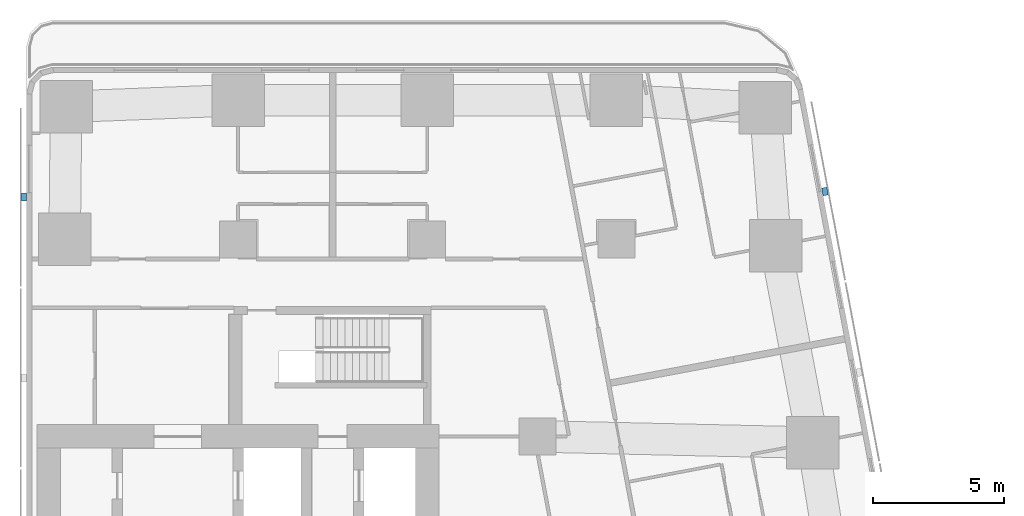
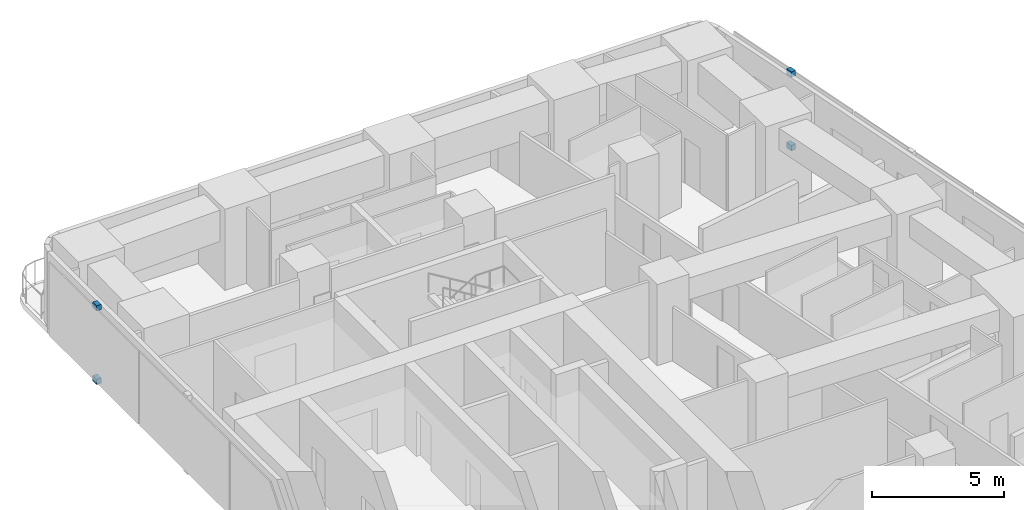
# One storey, part 9 of 12: 4 discrete accessories.
"""IFC4 building model written with IfcOpenShell, lengths in metres."""

from ifc_helpers import new_model, si_unit, direction, frame, origin, origin_2d, place, context, subcontext, project, spatial, rectangle, extrude, material, type_object, element, save


model = new_model("IFC4")

# Units and contexts
model_context = context("Model", 3, precision=1e-05, world=origin(), true_north=direction((0.0, 1.0)))
body_context = subcontext(model_context, "Body", "Model", "MODEL_VIEW")
ifc_project = project(units=[si_unit("LENGTHUNIT", "METRE"), si_unit("AREAUNIT", "SQUARE_METRE"), si_unit("VOLUMEUNIT", "CUBIC_METRE"), si_unit("PLANEANGLEUNIT", "RADIAN"), si_unit("MASSUNIT", "GRAM", prefix="KILO")], contexts=[model_context])

# Site, building, storey
site_placement = place(None, origin())
site = spatial("IfcSite", under=ifc_project, at=site_placement, CompositionType="ELEMENT")
building_placement = place(site_placement, origin())
building = spatial("IfcBuilding", under=site, at=building_placement, Name="Sheger Commons Tower", CompositionType="ELEMENT")
storey_placement = place(building_placement, frame((0.0, 0.0, 251.60009765625)))
storey = spatial("IfcBuildingStorey", under=building, at=storey_placement, Name="L64", CompositionType="ELEMENT", Elevation=251.60009765625)

# Discrete accessories
ifc_material = material(Name="Black painted steel bracket", Category="steel")
discrete_accessory_type = type_object("IfcDiscreteAccessoryType", Name="SCREEN BRACKET 300x200x250", PredefinedType="BRACKET", material=ifc_material)
for number, where, z_axis, x_axis, name in (
    (1, (43.93896484375, 39.322021484375, -0.10009765625), (0.0, 0.0, 1.0), (-0.185615165645, 0.982622516678, 0.0), "Solar screen foot bracket"),
    (2, (43.93896484375, 39.322021484375, 3.2998046875), (0.0, 0.0, 1.0), (-0.185615165645, 0.982622516678, 0.0), "Solar screen head bracket"),
    (3, (13.449951171875, 39.110107421875, -0.10009765625), (0.0, 0.0, 1.0), (0.0, -1.0, 0.0), "Solar screen foot bracket"),
    (4, (13.449951171875, 39.110107421875, 3.2998046875), (0.0, 0.0, 1.0), (0.0, -1.0, 0.0), "Solar screen head bracket"),
):
    element("IfcDiscreteAccessory", number, at=place(storey_placement, frame(where, z_axis=z_axis, x_axis=x_axis)), inside=storey, type_object=discrete_accessory_type, Name=name, PredefinedType="BRACKET", context=body_context, shape_type="SweptSolid", body=[
        extrude(rectangle(XDim=0.300048828125, YDim=0.199951171875, at=origin_2d()), origin(), (0.0, 0.0, 1.0), 0.25),
    ])

save(model, "model.ifc")
